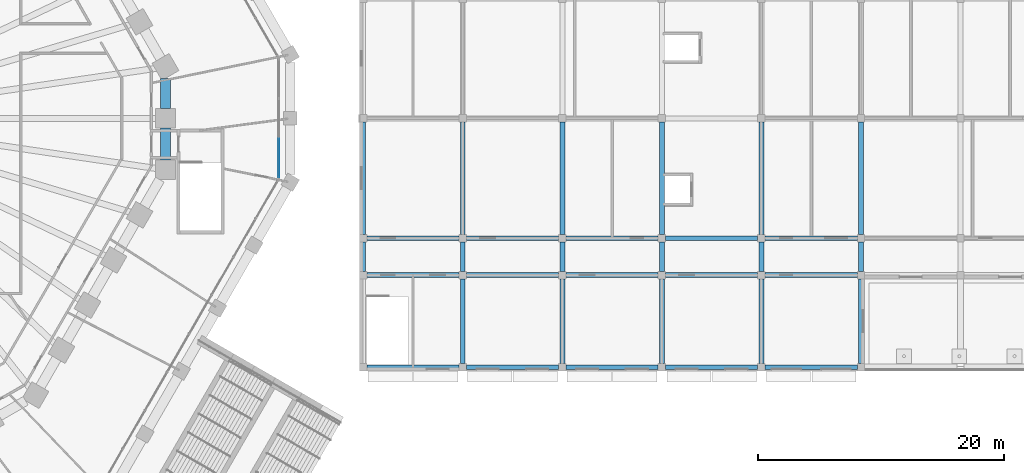
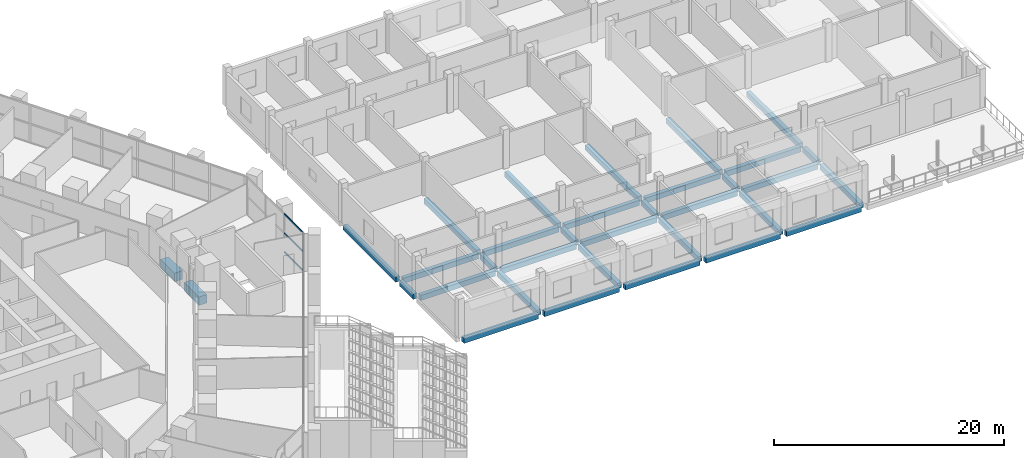
# One storey, part 10 of 38: 34 beams, 3 members, 1 element without a shape of its own.
"""IFC4 building model written with IfcOpenShell, lengths in metres."""

from ifc_helpers import new_model, si_unit, direction, frame, origin, origin_2d, place, context, subcontext, project, spatial, rectangle, extrude, material, material_profile, profile_set, type_object, element, aggregate, save


model = new_model("IFC4")

# Units and contexts
model_context = context("Model", 3, precision=1e-05, world=origin(), true_north=direction((0.0, 1.0)))
body_context = subcontext(model_context, "Body", "Model", "MODEL_VIEW")
ifc_project = project(units=[si_unit("LENGTHUNIT", "METRE"), si_unit("AREAUNIT", "SQUARE_METRE"), si_unit("VOLUMEUNIT", "CUBIC_METRE"), si_unit("PLANEANGLEUNIT", "RADIAN"), si_unit("MASSUNIT", "GRAM", prefix="KILO")], contexts=[model_context])

# Site, building, storey
site_placement = place(None, origin())
site = spatial("IfcSite", under=ifc_project, at=site_placement, CompositionType="ELEMENT")
building_placement = place(site_placement, origin())
building = spatial("IfcBuilding", under=site, at=building_placement, Name="Frailejon Research Tower", CompositionType="ELEMENT")
storey_placement = place(building_placement, frame((0.0, 0.0, 10.199951171875)))
storey = spatial("IfcBuildingStorey", under=building, at=storey_placement, Name="L02", CompositionType="ELEMENT", Elevation=10.199951171875)

# Beams
ifc_material_1 = material(Name="Concrete C35/45", Category="concrete")
ifc_material_profile_1 = material_profile(ifc_material_1, rectangle(XDim=0.39990234375, YDim=0.550048828125, at=origin_2d()), Name="HC floor beam 400x550")
ifc_profile_set_1 = profile_set([ifc_material_profile_1], Name="Concrete C35/45")
beam_type_1 = type_object("IfcBeamType", Name="HC floor beam 400x550", PredefinedType="BEAM", material=ifc_profile_set_1)
for number, where, z_axis, x_axis, name in (
    (1, (44.800048828125, -20.25, -0.52490234375), (1.0, 0.0, 0.0), (0.0, 1.0, 0.0), "HC floor beam"),
    (2, (52.89990234375, -20.25, -0.52490234375), (1.0, 0.0, 0.0), (0.0, 1.0, 0.0), "HC floor beam"),
    (3, (61.0, -20.25, -0.52490234375), (1.0, 0.0, 0.0), (0.0, 1.0, 0.0), "HC floor beam"),
    (4, (69.10009765625, -20.25, -0.52490234375), (1.0, 0.0, 0.0), (0.0, 1.0, 0.0), "HC floor beam"),
    (5, (77.199951171875, -20.25, -0.52490234375), (1.0, 0.0, 0.0), (0.0, 1.0, 0.0), "HC floor beam"),
    (6, (44.800048828125, -12.75, -0.52490234375), (1.0, 0.0, 0.0), (0.0, 1.0, 0.0), "HC floor beam"),
    (7, (52.89990234375, -12.75, -0.52490234375), (1.0, 0.0, 0.0), (0.0, 1.0, 0.0), "HC floor beam"),
    (8, (61.0, -12.75, -0.52490234375), (1.0, 0.0, 0.0), (0.0, 1.0, 0.0), "HC floor beam"),
    (9, (69.10009765625, -12.75, -0.52490234375), (1.0, 0.0, 0.0), (0.0, 1.0, 0.0), "HC floor beam"),
    (10, (77.199951171875, -12.75, -0.52490234375), (1.0, 0.0, 0.0), (0.0, 1.0, 0.0), "HC floor beam"),
    (11, (44.800048828125, -9.75, -0.52490234375), (1.0, 0.0, 0.0), (0.0, 1.0, 0.0), "HC floor beam"),
    (12, (52.89990234375, -9.75, -0.52490234375), (1.0, 0.0, 0.0), (0.0, 1.0, 0.0), "HC floor beam"),
    (13, (61.0, -9.75, -0.52490234375), (1.0, 0.0, 0.0), (0.0, 1.0, 0.0), "HC floor beam"),
    (14, (69.10009765625, -9.75, -0.52490234375), (1.0, 0.0, 0.0), (0.0, 1.0, 0.0), "HC floor beam"),
    (15, (77.199951171875, -9.75, -0.52490234375), (1.0, 0.0, 0.0), (0.0, 1.0, 0.0), "HC floor beam"),
):
    element("IfcBeam", number, at=place(storey_placement, frame(where, z_axis=z_axis, x_axis=x_axis)), inside=storey, type_object=beam_type_1, Name=name, PredefinedType="BEAM", context=body_context, shape_type="SweptSolid", body=[
        extrude(rectangle(XDim=0.39990234375, YDim=0.550048828125, at=origin_2d()), origin(), (0.0, 0.0, 1.0), 7.5),
    ])
beam_1_placement = place(storey_placement, frame((44.5, -12.449951171875, -0.52490234375), z_axis=(0.0, 1.0, 0.0), x_axis=(-1.0, 0.0, 0.0)))
element("IfcBeam", 16, at=beam_1_placement, inside=storey, type_object=beam_type_1, Name="HC floor beam", PredefinedType="BEAM", context=body_context, shape_type="SweptSolid", body=[
    extrude(rectangle(XDim=0.39990234375, YDim=0.550048828125, at=origin_2d()), origin(), (0.0, 0.0, 1.0), 2.39990234375),
])
beam_2_placement = place(storey_placement, frame((44.5, -9.449951171875, -0.52490234375), z_axis=(0.0, 1.0, 0.0), x_axis=(-1.0, 0.0, 0.0)))
element("IfcBeam", 17, at=beam_2_placement, inside=storey, type_object=beam_type_1, Name="HC floor beam", PredefinedType="BEAM", context=body_context, shape_type="SweptSolid", body=[
    extrude(rectangle(XDim=0.39990234375, YDim=0.550048828125, at=origin_2d()), origin(), (0.0, 0.0, 1.0), 9.14990234375),
])
beam_3_placement = place(storey_placement, frame((52.60009765625, -19.949951171875, -0.52490234375), z_axis=(0.0, 1.0, 0.0), x_axis=(-1.0, 0.0, 0.0)))
element("IfcBeam", 18, at=beam_3_placement, inside=storey, type_object=beam_type_1, Name="HC floor beam", PredefinedType="BEAM", context=body_context, shape_type="SweptSolid", body=[
    extrude(rectangle(XDim=0.39990234375, YDim=0.550048828125, at=origin_2d()), origin(), (0.0, 0.0, 1.0), 6.89990234375),
])
beam_4_placement = place(storey_placement, frame((52.60009765625, -12.449951171875, -0.52490234375), z_axis=(0.0, 1.0, 0.0), x_axis=(-1.0, 0.0, 0.0)))
element("IfcBeam", 19, at=beam_4_placement, inside=storey, type_object=beam_type_1, Name="HC floor beam", PredefinedType="BEAM", context=body_context, shape_type="SweptSolid", body=[
    extrude(rectangle(XDim=0.39990234375, YDim=0.550048828125, at=origin_2d()), origin(), (0.0, 0.0, 1.0), 2.39990234375),
])
beam_5_placement = place(storey_placement, frame((52.60009765625, -9.449951171875, -0.52490234375), z_axis=(0.0, 1.0, 0.0), x_axis=(-1.0, 0.0, 0.0)))
element("IfcBeam", 20, at=beam_5_placement, inside=storey, type_object=beam_type_1, Name="HC floor beam", PredefinedType="BEAM", context=body_context, shape_type="SweptSolid", body=[
    extrude(rectangle(XDim=0.39990234375, YDim=0.550048828125, at=origin_2d()), origin(), (0.0, 0.0, 1.0), 9.14990234375),
])
beam_6_placement = place(storey_placement, frame((60.699951171875, -19.949951171875, -0.52490234375), z_axis=(0.0, 1.0, 0.0), x_axis=(-1.0, 0.0, 0.0)))
element("IfcBeam", 21, at=beam_6_placement, inside=storey, type_object=beam_type_1, Name="HC floor beam", PredefinedType="BEAM", context=body_context, shape_type="SweptSolid", body=[
    extrude(rectangle(XDim=0.39990234375, YDim=0.550048828125, at=origin_2d()), origin(), (0.0, 0.0, 1.0), 6.89990234375),
])
beam_7_placement = place(storey_placement, frame((60.699951171875, -12.449951171875, -0.52490234375), z_axis=(0.0, 1.0, 0.0), x_axis=(-1.0, 0.0, 0.0)))
element("IfcBeam", 22, at=beam_7_placement, inside=storey, type_object=beam_type_1, Name="HC floor beam", PredefinedType="BEAM", context=body_context, shape_type="SweptSolid", body=[
    extrude(rectangle(XDim=0.39990234375, YDim=0.550048828125, at=origin_2d()), origin(), (0.0, 0.0, 1.0), 2.39990234375),
])
beam_8_placement = place(storey_placement, frame((60.699951171875, -9.449951171875, -0.52490234375), z_axis=(0.0, 1.0, 0.0), x_axis=(-1.0, 0.0, 0.0)))
element("IfcBeam", 23, at=beam_8_placement, inside=storey, type_object=beam_type_1, Name="HC floor beam", PredefinedType="BEAM", context=body_context, shape_type="SweptSolid", body=[
    extrude(rectangle(XDim=0.39990234375, YDim=0.550048828125, at=origin_2d()), origin(), (0.0, 0.0, 1.0), 9.14990234375),
])
beam_9_placement = place(storey_placement, frame((68.800048828125, -19.949951171875, -0.52490234375), z_axis=(0.0, 1.0, 0.0), x_axis=(-1.0, 0.0, 0.0)))
element("IfcBeam", 24, at=beam_9_placement, inside=storey, type_object=beam_type_1, Name="HC floor beam", PredefinedType="BEAM", context=body_context, shape_type="SweptSolid", body=[
    extrude(rectangle(XDim=0.39990234375, YDim=0.550048828125, at=origin_2d()), origin(), (0.0, 0.0, 1.0), 6.89990234375),
])
beam_10_placement = place(storey_placement, frame((68.800048828125, -12.449951171875, -0.52490234375), z_axis=(0.0, 1.0, 0.0), x_axis=(-1.0, 0.0, 0.0)))
element("IfcBeam", 25, at=beam_10_placement, inside=storey, type_object=beam_type_1, Name="HC floor beam", PredefinedType="BEAM", context=body_context, shape_type="SweptSolid", body=[
    extrude(rectangle(XDim=0.39990234375, YDim=0.550048828125, at=origin_2d()), origin(), (0.0, 0.0, 1.0), 2.39990234375),
])
beam_11_placement = place(storey_placement, frame((68.800048828125, -9.449951171875, -0.52490234375), z_axis=(0.0, 1.0, 0.0), x_axis=(-1.0, 0.0, 0.0)))
element("IfcBeam", 26, at=beam_11_placement, inside=storey, type_object=beam_type_1, Name="HC floor beam", PredefinedType="BEAM", context=body_context, shape_type="SweptSolid", body=[
    extrude(rectangle(XDim=0.39990234375, YDim=0.550048828125, at=origin_2d()), origin(), (0.0, 0.0, 1.0), 9.14990234375),
])
beam_12_placement = place(storey_placement, frame((76.89990234375, -19.949951171875, -0.52490234375), z_axis=(0.0, 1.0, 0.0), x_axis=(-1.0, 0.0, 0.0)))
element("IfcBeam", 27, at=beam_12_placement, inside=storey, type_object=beam_type_1, Name="HC floor beam", PredefinedType="BEAM", context=body_context, shape_type="SweptSolid", body=[
    extrude(rectangle(XDim=0.39990234375, YDim=0.550048828125, at=origin_2d()), origin(), (0.0, 0.0, 1.0), 6.89990234375),
])
beam_13_placement = place(storey_placement, frame((76.89990234375, -12.449951171875, -0.52490234375), z_axis=(0.0, 1.0, 0.0), x_axis=(-1.0, 0.0, 0.0)))
element("IfcBeam", 28, at=beam_13_placement, inside=storey, type_object=beam_type_1, Name="HC floor beam", PredefinedType="BEAM", context=body_context, shape_type="SweptSolid", body=[
    extrude(rectangle(XDim=0.39990234375, YDim=0.550048828125, at=origin_2d()), origin(), (0.0, 0.0, 1.0), 2.39990234375),
])
beam_14_placement = place(storey_placement, frame((76.89990234375, -9.449951171875, -0.52490234375), z_axis=(0.0, 1.0, 0.0), x_axis=(-1.0, 0.0, 0.0)))
element("IfcBeam", 29, at=beam_14_placement, inside=storey, type_object=beam_type_1, Name="HC floor beam", PredefinedType="BEAM", context=body_context, shape_type="SweptSolid", body=[
    extrude(rectangle(XDim=0.39990234375, YDim=0.550048828125, at=origin_2d()), origin(), (0.0, 0.0, 1.0), 9.14990234375),
])
beam_15_placement = place(storey_placement, frame((85.0, -19.949951171875, -0.52490234375), z_axis=(0.0, 1.0, 0.0), x_axis=(-1.0, 0.0, 0.0)))
element("IfcBeam", 30, at=beam_15_placement, inside=storey, type_object=beam_type_1, Name="HC floor beam", PredefinedType="BEAM", context=body_context, shape_type="SweptSolid", body=[
    extrude(rectangle(XDim=0.39990234375, YDim=0.550048828125, at=origin_2d()), origin(), (0.0, 0.0, 1.0), 6.89990234375),
])
beam_16_placement = place(storey_placement, frame((85.0, -12.449951171875, -0.52490234375), z_axis=(0.0, 1.0, 0.0), x_axis=(-1.0, 0.0, 0.0)))
element("IfcBeam", 31, at=beam_16_placement, inside=storey, type_object=beam_type_1, Name="HC floor beam", PredefinedType="BEAM", context=body_context, shape_type="SweptSolid", body=[
    extrude(rectangle(XDim=0.39990234375, YDim=0.550048828125, at=origin_2d()), origin(), (0.0, 0.0, 1.0), 2.39990234375),
])
beam_17_placement = place(storey_placement, frame((85.0, -9.449951171875, -0.52490234375), z_axis=(0.0, 1.0, 0.0), x_axis=(-1.0, 0.0, 0.0)))
element("IfcBeam", 32, at=beam_17_placement, inside=storey, type_object=beam_type_1, Name="HC floor beam", PredefinedType="BEAM", context=body_context, shape_type="SweptSolid", body=[
    extrude(rectangle(XDim=0.39990234375, YDim=0.550048828125, at=origin_2d()), origin(), (0.0, 0.0, 1.0), 9.14990234375),
])
ifc_material_2 = material(Name="Concrete C60/75", Category="concrete")
ifc_material_profile_2 = material_profile(ifc_material_2, rectangle(XDim=0.800048828125, YDim=0.89990234375, at=origin_2d()), Name="Podium ring beam")
ifc_profile_set_2 = profile_set([ifc_material_profile_2], Name="Concrete C60/75")
beam_type_2 = type_object("IfcBeamType", Name="Podium ring beam", PredefinedType="BEAM", material=ifc_profile_set_2)
beam_18_placement = place(storey_placement, frame((28.412841796875, -3.3876953125, -0.800048828125), z_axis=(0.0, 1.0, 0.0), x_axis=(-1.0, 0.0, 0.0)))
element("IfcBeam", 33, at=beam_18_placement, inside=storey, type_object=beam_type_2, Name="Podium ring beam", PredefinedType="BEAM", context=body_context, shape_type="SweptSolid", body=[
    extrude(rectangle(XDim=0.800048828125, YDim=0.89990234375, at=origin_2d()), origin(), (0.0, 0.0, 1.0), 2.587646484375),
])
beam_19_placement = place(storey_placement, frame((28.412841796875, 0.800048828125, -0.800048828125), z_axis=(0.0, 1.0, 0.0), x_axis=(-1.0, 0.0, 0.0)))
element("IfcBeam", 34, at=beam_19_placement, inside=storey, type_object=beam_type_2, Name="Podium ring beam", PredefinedType="BEAM", context=body_context, shape_type="SweptSolid", body=[
    extrude(rectangle(XDim=0.800048828125, YDim=0.89990234375, at=origin_2d()), origin(), (0.0, 0.0, 1.0), 2.4638671875),
])

# Curtain wall, members
ifc_material_3 = material(Name="Aluminium curtain wall", Category="aluminium")
curtain_wall_type = type_object("IfcCurtainWallType", Name="Podium stick curtain wall system", PredefinedType="NOTDEFINED", material=ifc_material_3)
curtain_wall_placement = place(storey_placement, origin())
curtain_wall = element("IfcCurtainWall", 35, at=curtain_wall_placement, inside=storey, type_object=curtain_wall_type, Name="Curtain wall L02", PredefinedType="NOTDEFINED")
ifc_material_4 = material(Name="Aluminium extrusion", Category="aluminium")
ifc_material_profile_3 = material_profile(ifc_material_4, rectangle(XDim=0.06005859375, YDim=0.14990234375, at=origin_2d()), Name="Podium stick curtain wall transom 60x150")
ifc_profile_set_3 = profile_set([ifc_material_profile_3], Name="Aluminium extrusion")
member_type = type_object("IfcMemberType", Name="Podium stick curtain wall transom 60x150", PredefinedType="USERDEFINED", material=ifc_profile_set_3)
member_1_placement = place(storey_placement, frame((37.619140625, -4.781494140625, 0.030029296875), z_axis=(0.0, 1.0, 0.0), x_axis=(-1.0, 0.0, 0.0)))
member_1 = element("IfcMember", 36, at=member_1_placement, type_object=member_type, Name="CW2-033 transom 1.1", ObjectType="TRANSOM", PredefinedType="USERDEFINED", context=body_context, shape_type="SweptSolid", body=[
    extrude(rectangle(XDim=0.06005859375, YDim=0.14990234375, at=origin_2d()), origin(), (0.0, 0.0, 1.0), 3.1376953125),
])
member_2_placement = place(storey_placement, frame((37.619140625, -4.781494140625, 2.050048828125), z_axis=(0.0, 1.0, 0.0), x_axis=(-1.0, 0.0, 0.0)))
member_2 = element("IfcMember", 37, at=member_2_placement, type_object=member_type, Name="CW2-033 transom 1.2", ObjectType="TRANSOM", PredefinedType="USERDEFINED", context=body_context, shape_type="SweptSolid", body=[
    extrude(rectangle(XDim=0.06005859375, YDim=0.14990234375, at=origin_2d()), origin(), (0.0, 0.0, 1.0), 3.1376953125),
])
member_3_placement = place(storey_placement, frame((37.619140625, -4.781494140625, 4.070068359375), z_axis=(0.0, 1.0, 0.0), x_axis=(-1.0, 0.0, 0.0)))
member_3 = element("IfcMember", 38, at=member_3_placement, type_object=member_type, Name="CW2-033 transom 1.3", ObjectType="TRANSOM", PredefinedType="USERDEFINED", context=body_context, shape_type="SweptSolid", body=[
    extrude(rectangle(XDim=0.06005859375, YDim=0.14990234375, at=origin_2d()), origin(), (0.0, 0.0, 1.0), 3.1376953125),
])
aggregate(curtain_wall, [member_1, member_2, member_3])

save(model, "model.ifc")
